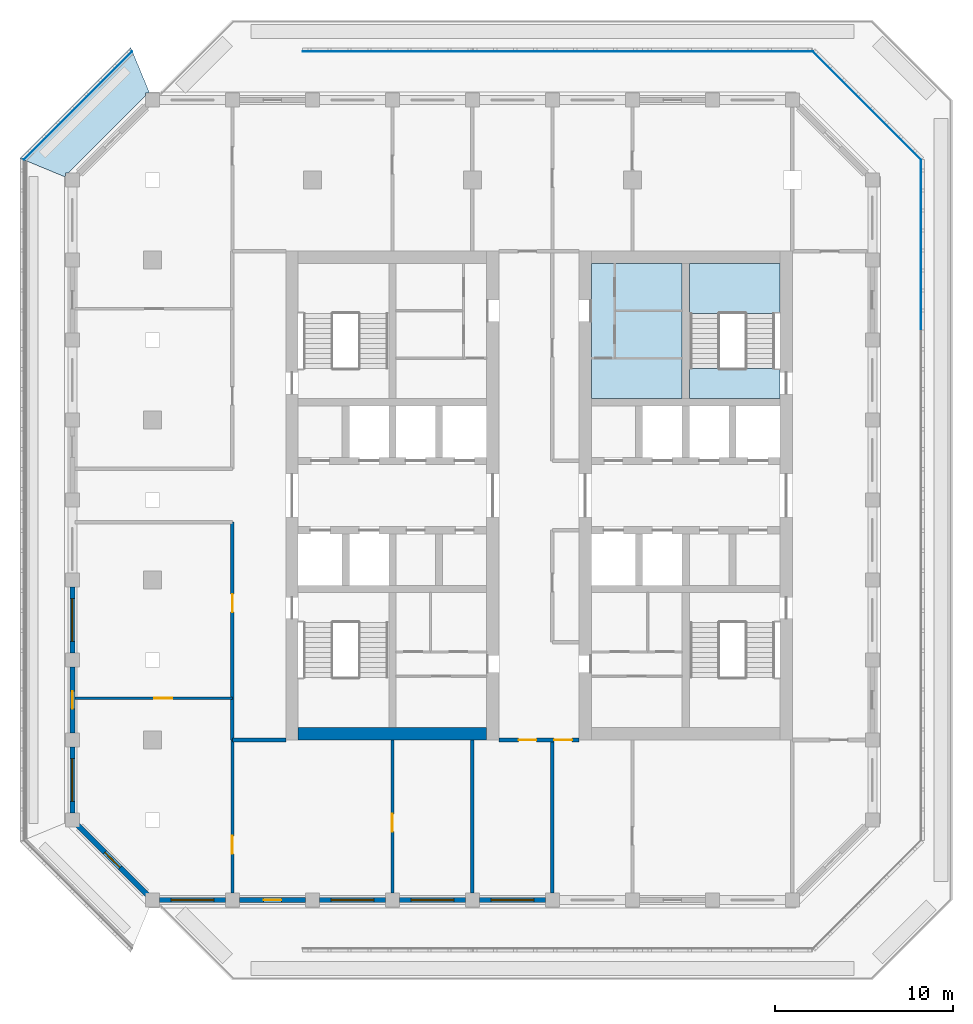
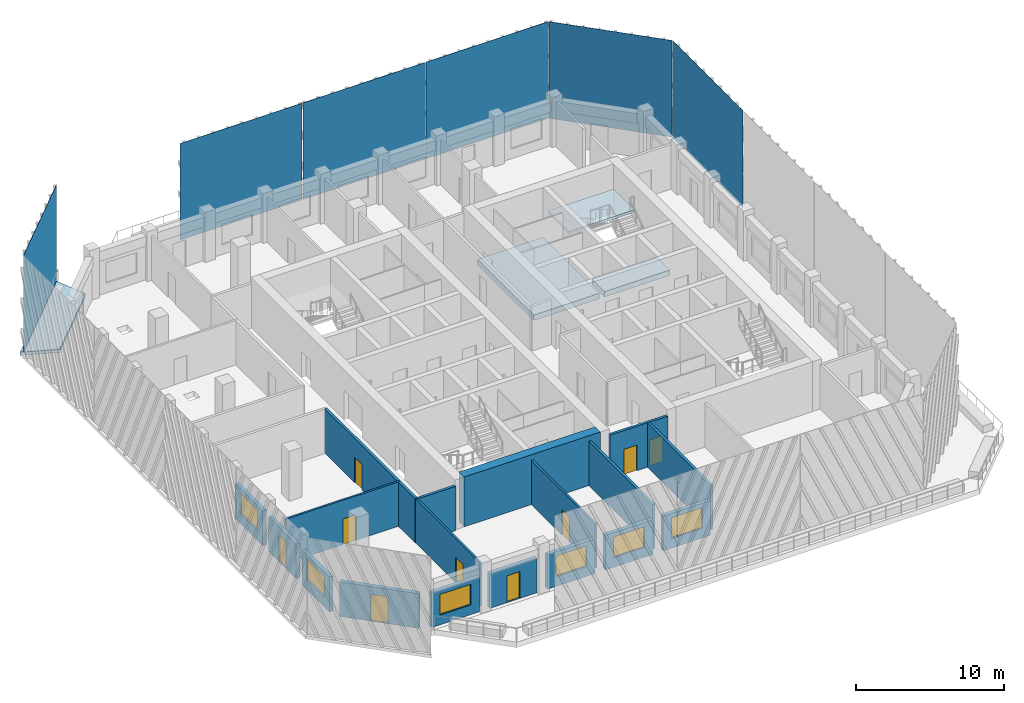
# One storey, part 2 of 14: 18 walls, 9 doors, 6 plates, 6 windows, 4 slabs, 15 openings, 1 element without a shape of its own.
"""IFC4 building model written with IfcOpenShell, lengths in metres."""

from ifc_helpers import new_model, si_unit, direction, frame, frame_2d, origin, origin_2d, place, context, subcontext, project, spatial, polyline, rectangle, outline, extrude, material, layer, layer_set, type_object, element, fill, aggregate, save


model = new_model("IFC4")

# Units and contexts
model_context = context("Model", 3, precision=1e-05, world=origin(), true_north=direction((0.0, 1.0)))
body_context = subcontext(model_context, "Body", "Model", "MODEL_VIEW")
ifc_project = project(units=[si_unit("LENGTHUNIT", "METRE"), si_unit("AREAUNIT", "SQUARE_METRE"), si_unit("VOLUMEUNIT", "CUBIC_METRE"), si_unit("PLANEANGLEUNIT", "RADIAN"), si_unit("MASSUNIT", "GRAM", prefix="KILO")], contexts=[model_context])

# Site, building, storey
site_placement = place(None, origin())
site = spatial("IfcSite", under=ifc_project, at=site_placement, CompositionType="ELEMENT")
building_placement = place(site_placement, origin())
building = spatial("IfcBuilding", under=site, at=building_placement, Name="Corbel Stack Research Tower", CompositionType="ELEMENT")
storey_placement = place(building_placement, frame((0.0, 0.0, 266.300048828125)))
storey = spatial("IfcBuildingStorey", under=building, at=storey_placement, Name="L60", CompositionType="ELEMENT", Elevation=266.300048828125)

# Plates
ifc_material_1 = material(Name="Fritted glass", Category="glass")
ifc_layer_1 = layer(ifc_material_1, 0.02490234375)
ifc_layer_set_1 = layer_set([ifc_layer_1], Name="Fritted glass")
plate_type = type_object("IfcPlateType", Name="Fritted glass panel 25", PredefinedType="SHEET", material=ifc_layer_set_1)
plate_1_placement = place(storey_placement, frame((25.237548828125, 18.854248046875, 0.0), z_axis=(0.0, 0.0, 1.0), x_axis=(0.0, 1.0, 0.0)))
element("IfcPlate", 1, at=plate_1_placement, inside=storey, type_object=plate_type, Name="Fritted glass L60 E4", PredefinedType="SHEET", context=body_context, shape_type="SweptSolid", body=[
    extrude(rectangle(XDim=9.509521484375, YDim=0.02490234375, at=origin_2d()), origin(), (0.0, 0.0, 1.0), 7.949951171875),
])
plate_2_placement = place(storey_placement, frame((22.185791015625, 26.685791015625, 0.0), z_axis=(0.0, 0.0, 1.0), x_axis=(-0.707106781187, 0.707106781187, 0.0)))
element("IfcPlate", 2, at=plate_2_placement, inside=storey, type_object=plate_type, Name="Fritted glass L60 NE1", PredefinedType="SHEET", context=body_context, shape_type="SweptSolid", body=[
    extrude(rectangle(XDim=8.58203125, YDim=0.02490234375, at=origin_2d()), origin(), (0.0, 0.0, 1.0), 7.949951171875),
])
for number, where, z_axis, x_axis, name in (
    (3, (14.354248046875, 29.737548828125, 0.0), (0.0, 0.0, 1.0), (-1.0, 0.0, 0.0), "Fritted glass L60 N1"),
    (4, (4.784912109375, 29.737548828125, 0.0), (0.0, 0.0, 1.0), (-1.0, 0.0, 0.0), "Fritted glass L60 N2"),
    (5, (-4.784912109375, 29.737548828125, 0.0), (0.0, 0.0, 1.0), (-1.0, 0.0, 0.0), "Fritted glass L60 N3"),
):
    element("IfcPlate", number, at=place(storey_placement, frame(where, z_axis=z_axis, x_axis=x_axis)), inside=storey, type_object=plate_type, Name=name, PredefinedType="SHEET", context=body_context, shape_type="SweptSolid", body=[
        extrude(rectangle(XDim=9.509521484375, YDim=0.02490234375, at=origin_2d()), origin(), (0.0, 0.0, 1.0), 7.949951171875),
    ])
plate_3_placement = place(storey_placement, frame((-22.185791015625, 26.685791015625, 0.0), z_axis=(0.0, 0.0, 1.0), x_axis=(-0.707106781187, -0.707106781187, 0.0)))
element("IfcPlate", 6, at=plate_3_placement, inside=storey, type_object=plate_type, Name="Fritted glass L60 NW1", PredefinedType="SHEET", context=body_context, shape_type="SweptSolid", body=[
    extrude(rectangle(XDim=8.58203125, YDim=0.02490234375, at=origin_2d()), origin(), (0.0, 0.0, 1.0), 7.949951171875),
])

# Slabs
ifc_material_2 = material(Name="Concrete C45/55", Category="concrete")
ifc_layer_2 = layer(ifc_material_2, 0.25)
ifc_layer_set_2 = layer_set([ifc_layer_2], Name="Concrete C45/55")
slab_type_1 = type_object("IfcSlabType", Name="PT balcony slab 250 C45/55", PredefinedType="FLOOR", material=ifc_layer_set_2)
slab_1_placement = place(storey_placement, frame((0.0, 0.0, -0.25)))
element("IfcSlab", 7, at=slab_1_placement, inside=storey, type_object=slab_type_1, Name="Loggia slab L60 NW", PredefinedType="FLOOR", context=body_context, shape_type="SweptSolid", body=[
    extrude(outline(polyline([(-22.949951171875, 22.686279296875), (-22.89990234375, 22.736328125), (-22.89990234375, 22.89990234375), (-22.736328125, 22.89990234375), (-18.39990234375, 27.236328125), (-18.39990234375, 27.39990234375), (-18.236328125, 27.39990234375), (-18.186279296875, 27.449951171875), (-19.221923828125, 29.949951171875), (-25.449951171875, 23.721923828125), (-22.949951171875, 22.686279296875)])), origin(), (0.0, 0.0, 1.0), 0.25),
])
ifc_material_3 = material(Name="Concrete C45/55", Category="concrete")
ifc_layer_3 = layer(ifc_material_3, 0.449951171875)
ifc_layer_set_3 = layer_set([ifc_layer_3], Name="Concrete C45/55")
slab_type_2 = type_object("IfcSlabType", Name="PT-450", PredefinedType="FLOOR", material=ifc_layer_set_3)
slab_2_placement = place(storey_placement, frame((0.0, 0.0, -0.449951171875)))
element("IfcSlab", 8, at=slab_2_placement, inside=storey, type_object=slab_type_2, Name="East core floor L60", PredefinedType="FLOOR", context=body_context, shape_type="SweptSolid", body=[
    extrude(outline(polyline([(6.699951171875, 10.199951171875), (11.800048828125, 10.199951171875), (11.800048828125, 17.800048828125), (6.699951171875, 17.800048828125), (6.699951171875, 10.199951171875)])), origin(), (0.0, 0.0, 1.0), 0.449951171875),
])
slab_3_placement = place(storey_placement, frame((0.0, 0.0, -0.449951171875)))
element("IfcSlab", 9, at=slab_3_placement, inside=storey, type_object=slab_type_2, Name="Stair floor landing ST-E2", PredefinedType="FLOOR", context=body_context, shape_type="SweptSolid", body=[
    extrude(outline(polyline([(12.199951171875, 10.199951171875), (17.300048828125, 10.199951171875), (17.300048828125, 11.89990234375), (12.199951171875, 11.89990234375), (12.199951171875, 10.199951171875)])), origin(), (0.0, 0.0, 1.0), 0.449951171875),
])

# Stair, slab
ifc_material_4 = material(Name="Concrete C40/50", Category="concrete")
stair_type = type_object("IfcStairType", Name="Exit stair 24 risers", PredefinedType="HALF_TURN_STAIR", material=ifc_material_4)
stair_placement = place(storey_placement, origin())
stair = element("IfcStair", 10, at=stair_placement, inside=storey, type_object=stair_type, Name="L60 Exit stair ST-E2", PredefinedType="HALF_TURN_STAIR")
ifc_material_5 = material(Name="Concrete C40/50", Category="concrete")
ifc_layer_4 = layer(ifc_material_5, 0.199951171875)
ifc_layer_set_4 = layer_set([ifc_layer_4], Name="Concrete C40/50")
slab_type_3 = type_object("IfcSlabType", Name="Stair landing 200 C40/50", PredefinedType="LANDING", material=ifc_layer_set_4)
slab_4_placement = place(storey_placement, frame((0.0, 0.0, 1.849853515625)))
slab_4 = element("IfcSlab", 11, at=slab_4_placement, type_object=slab_type_3, Name="ST-E2 landing 1", PredefinedType="LANDING", context=body_context, shape_type="SweptSolid", body=[
    extrude(outline(polyline([(12.199951171875, 14.97998046875), (12.199951171875, 17.800048828125), (17.300048828125, 17.800048828125), (17.300048828125, 14.97998046875), (12.199951171875, 14.97998046875)])), origin(), (0.0, 0.0, 1.0), 0.2001953125),
])
aggregate(stair, [slab_4])

# Wall
ifc_material_6 = material(Name="Concrete C60/75", Category="concrete")
ifc_layer_5 = layer(ifc_material_6, 0.699951171875)
ifc_layer_set_5 = layer_set([ifc_layer_5], Name="Concrete C60/75")
wall_type_1 = type_object("IfcWallType", Name="CW-700-60", PredefinedType="SHEAR", material=ifc_layer_set_5)
wall_1_placement = place(storey_placement, frame((-9.800048828125, -8.64990234375, 0.0), z_axis=(0.0, 0.0, 1.0), x_axis=(1.0, 0.0, 0.0)))
element("IfcWall", 12, at=wall_1_placement, inside=storey, type_object=wall_type_1, Name="West core wall, south end L60", PredefinedType="SHEAR", context=body_context, shape_type="SweptSolid", body=[
    extrude(rectangle(XDim=10.60009765625, YDim=0.699951171875, at=frame_2d((5.300048828125, 0.0))), origin(), (0.0, 0.0, 1.0), 4.099853515625),
])

# Wall, opening, door
ifc_material_7 = material(Name="Fire-rated gypsum board partition on steel studs", Category="steel")
ifc_layer_6 = layer(ifc_material_7, 0.14990234375)
ifc_layer_set_6 = layer_set([ifc_layer_6], Name="Fire-rated gypsum board partition on steel studs")
wall_type_2 = type_object("IfcWallType", Name="Fire-rated partition 150 EI 60", PredefinedType="PARTITIONING", material=ifc_layer_set_6)
wall_2_placement = place(storey_placement, frame((-13.5, -9.0, 0.0), z_axis=(0.0, 0.0, 1.0), x_axis=(0.0, -1.0, 0.0)))
wall_2 = element("IfcWall", 13, at=wall_2_placement, inside=storey, type_object=wall_type_2, Name="Partition L60-001", PredefinedType="PARTITIONING", context=body_context, shape_type="SweptSolid", body=[
    extrude(rectangle(XDim=8.60009765625, YDim=0.14990234375, at=frame_2d((4.300048828125, 0.0))), origin(), (0.0, 0.0, 1.0), 3.64990234375),
])
opening_1_placement = place(wall_2_placement, frame((5.39990234375, 0.0, 0.0)))
opening_1 = element("IfcOpeningElement", 14, at=opening_1_placement, cuts=wall_2, Name="Opening B8V0H-001", PredefinedType="OPENING", context=body_context, shape_type="SweptSolid", body=[
    extrude(rectangle(XDim=1.0, YDim=2.10009765625, at=frame_2d((0.5, 1.050048828125))), frame((0.0, 0.0849609375, 0.0), z_axis=(0.0, -1.0, 0.0), x_axis=(1.0, 0.0, 0.0)), (0.0, 0.0, 1.0), 0.169921875),
])
ifc_material_8 = material(Name="Painted steel fire door", Category="steel")
door_type_1 = type_object("IfcDoorType", Name="Fire door FD30S 1000 x 2100", OperationType="NOTDEFINED", PredefinedType="DOOR", material=ifc_material_8)
door_1_placement = place(opening_1_placement, origin())
door_1 = element("IfcDoor", 15, at=door_1_placement, inside=storey, type_object=door_type_1, Name="Door B8V0H-001", OperationType="SINGLE_SWING_RIGHT", OverallHeight=2.10009765625, OverallWidth=1.0, PredefinedType="DOOR", context=body_context, shape_type="SweptSolid", body=[
    extrude(rectangle(XDim=1.0, YDim=2.10009765625, at=frame_2d((0.5, 1.050048828125))), frame((0.0, 0.02490234375, 0.0), z_axis=(0.0, -1.0, 0.0), x_axis=(1.0, 0.0, 0.0)), (0.0, 0.0, 1.0), 0.050048828125),
])
fill(opening_1, door_1)

wall_3_placement = place(storey_placement, frame((-4.5, -9.0, 0.0), z_axis=(0.0, 0.0, 1.0), x_axis=(0.0, -1.0, 0.0)))
wall_3 = element("IfcWall", 16, at=wall_3_placement, inside=storey, type_object=wall_type_2, Name="Partition L60-005", PredefinedType="PARTITIONING", context=body_context, shape_type="SweptSolid", body=[
    extrude(rectangle(XDim=8.60009765625, YDim=0.14990234375, at=frame_2d((4.300048828125, 0.0))), origin(), (0.0, 0.0, 1.0), 3.64990234375),
])
opening_2_placement = place(wall_3_placement, frame((4.14990234375, 0.0, 0.0)))
opening_2 = element("IfcOpeningElement", 17, at=opening_2_placement, cuts=wall_3, Name="Opening B8V0H-009", PredefinedType="OPENING", context=body_context, shape_type="SweptSolid", body=[
    extrude(rectangle(XDim=1.0, YDim=2.10009765625, at=frame_2d((0.5, 1.050048828125))), frame((0.0, 0.0849609375, 0.0), z_axis=(0.0, -1.0, 0.0), x_axis=(1.0, 0.0, 0.0)), (0.0, 0.0, 1.0), 0.169921875),
])
door_2_placement = place(opening_2_placement, origin())
door_2 = element("IfcDoor", 18, at=door_2_placement, inside=storey, type_object=door_type_1, Name="Door B8V0H-009", OperationType="SINGLE_SWING_RIGHT", OverallHeight=2.10009765625, OverallWidth=1.0, PredefinedType="DOOR", context=body_context, shape_type="SweptSolid", body=[
    extrude(rectangle(XDim=1.0, YDim=2.10009765625, at=frame_2d((0.5, 1.050048828125))), frame((0.0, 0.02490234375, 0.0), z_axis=(0.0, -1.0, 0.0), x_axis=(1.0, 0.0, 0.0)), (0.0, 0.0, 1.0), 0.050048828125),
])
fill(opening_2, door_2)

ifc_material_9 = material(Name="Fire-rated gypsum board partition on steel studs", Category="steel")
ifc_layer_7 = layer(ifc_material_9, 0.199951171875)
ifc_layer_set_7 = layer_set([ifc_layer_7], Name="Fire-rated gypsum board partition on steel studs")
wall_type_3 = type_object("IfcWallType", Name="Fire-rated partition 200 EI 60", PredefinedType="PARTITIONING", material=ifc_layer_set_7)
wall_4_placement = place(storey_placement, frame((-13.5, -9.0, 0.0), z_axis=(0.0, 0.0, 1.0), x_axis=(0.0, 1.0, 0.0)))
wall_4 = element("IfcWall", 19, at=wall_4_placement, inside=storey, type_object=wall_type_3, Name="Partition L60-003", PredefinedType="PARTITIONING", context=body_context, shape_type="SweptSolid", body=[
    extrude(rectangle(XDim=12.25, YDim=0.199951171875, at=frame_2d((6.125, 0.0))), origin(), (0.0, 0.0, 1.0), 3.64990234375),
])
opening_3_placement = place(wall_4_placement, frame((7.199951171875, 0.0, 0.0)))
opening_3 = element("IfcOpeningElement", 20, at=opening_3_placement, cuts=wall_4, Name="Opening B8V0H-002", PredefinedType="OPENING", context=body_context, shape_type="SweptSolid", body=[
    extrude(rectangle(XDim=1.0, YDim=2.10009765625, at=frame_2d((0.5, 1.050048828125))), frame((0.0, 0.10986328125, 0.0), z_axis=(0.0, -1.0, 0.0), x_axis=(1.0, 0.0, 0.0)), (0.0, 0.0, 1.0), 0.219970703125),
])
door_3_placement = place(opening_3_placement, origin())
door_3 = element("IfcDoor", 21, at=door_3_placement, inside=storey, type_object=door_type_1, Name="Door B8V0H-002", OperationType="SINGLE_SWING_RIGHT", OverallHeight=2.10009765625, OverallWidth=1.0, PredefinedType="DOOR", context=body_context, shape_type="SweptSolid", body=[
    extrude(rectangle(XDim=1.0, YDim=2.10009765625, at=frame_2d((0.5, 1.050048828125))), frame((0.0, 0.02490234375, 0.0), z_axis=(0.0, -1.0, 0.0), x_axis=(1.0, 0.0, 0.0)), (0.0, 0.0, 1.0), 0.050048828125),
])
fill(opening_3, door_3)

# Walls
for number, where, z_axis, x_axis, name in (
    (22, (0.0, -17.60009765625, 0.0), (0.0, 0.0, 1.0), (0.0, 1.0, 0.0), "Partition L60-007"),
    (23, (4.5, -17.60009765625, 0.0), (0.0, 0.0, 1.0), (0.0, 1.0, 0.0), "Partition L60-011"),
):
    element("IfcWall", number, at=place(storey_placement, frame(where, z_axis=z_axis, x_axis=x_axis)), inside=storey, type_object=wall_type_3, Name=name, PredefinedType="PARTITIONING", context=body_context, shape_type="SweptSolid", body=[
        extrude(rectangle(XDim=8.60009765625, YDim=0.199951171875, at=frame_2d((4.300048828125, 0.0))), origin(), (0.0, 0.0, 1.0), 3.64990234375),
    ])
wall_5_placement = place(storey_placement, frame((-13.5, -9.0, 0.0), z_axis=(0.0, 0.0, 1.0), x_axis=(1.0, 0.0, 0.0)))
element("IfcWall", 24, at=wall_5_placement, inside=storey, type_object=wall_type_3, Name="Partition L60-020", PredefinedType="PARTITIONING", context=body_context, shape_type="SweptSolid", body=[
    extrude(rectangle(XDim=3.0, YDim=0.199951171875, at=frame_2d((1.5, 0.0))), origin(), (0.0, 0.0, 1.0), 3.64990234375),
])

# Wall, openings, doors
wall_6_placement = place(storey_placement, frame((6.0, -9.0, 0.0), z_axis=(0.0, 0.0, 1.0), x_axis=(-1.0, 0.0, 0.0)))
wall_6 = element("IfcWall", 25, at=wall_6_placement, inside=storey, type_object=wall_type_3, Name="Partition L60-021", PredefinedType="PARTITIONING", context=body_context, shape_type="SweptSolid", body=[
    extrude(rectangle(XDim=4.5, YDim=0.199951171875, at=frame_2d((2.25, 0.0))), origin(), (0.0, 0.0, 1.0), 3.64990234375),
])
opening_4_placement = place(wall_6_placement, frame((2.39990234375, 0.0, 0.0)))
opening_4 = element("IfcOpeningElement", 26, at=opening_4_placement, cuts=wall_6, Name="Opening B8V0H-005", PredefinedType="OPENING", context=body_context, shape_type="SweptSolid", body=[
    extrude(rectangle(XDim=1.0, YDim=2.10009765625, at=frame_2d((0.5, 1.050048828125))), frame((0.0, 0.10986328125, 0.0), z_axis=(0.0, -1.0, 0.0), x_axis=(1.0, 0.0, 0.0)), (0.0, 0.0, 1.0), 0.219970703125),
])
opening_5_placement = place(wall_6_placement, frame((0.39990234375, 0.0, 0.0)))
opening_5 = element("IfcOpeningElement", 27, at=opening_5_placement, cuts=wall_6, Name="Opening B8V0H-006", PredefinedType="OPENING", context=body_context, shape_type="SweptSolid", body=[
    extrude(rectangle(XDim=1.0, YDim=2.10009765625, at=frame_2d((0.5, 1.050048828125))), frame((0.0, 0.10986328125, 0.0), z_axis=(0.0, -1.0, 0.0), x_axis=(1.0, 0.0, 0.0)), (0.0, 0.0, 1.0), 0.219970703125),
])
door_4_placement = place(opening_4_placement, origin())
door_4 = element("IfcDoor", 28, at=door_4_placement, inside=storey, type_object=door_type_1, Name="Door B8V0H-005", OperationType="SINGLE_SWING_RIGHT", OverallHeight=2.10009765625, OverallWidth=1.0, PredefinedType="DOOR", context=body_context, shape_type="SweptSolid", body=[
    extrude(rectangle(XDim=1.0, YDim=2.10009765625, at=frame_2d((0.5, 1.050048828125))), frame((0.0, 0.02490234375, 0.0), z_axis=(0.0, -1.0, 0.0), x_axis=(1.0, 0.0, 0.0)), (0.0, 0.0, 1.0), 0.050048828125),
])
fill(opening_4, door_4)
door_5_placement = place(opening_5_placement, origin())
door_5 = element("IfcDoor", 29, at=door_5_placement, inside=storey, type_object=door_type_1, Name="Door B8V0H-006", OperationType="SINGLE_SWING_LEFT", OverallHeight=2.10009765625, OverallWidth=1.0, PredefinedType="DOOR", context=body_context, shape_type="SweptSolid", body=[
    extrude(rectangle(XDim=1.0, YDim=2.10009765625, at=frame_2d((0.5, 1.050048828125))), frame((0.0, 0.02490234375, 0.0), z_axis=(0.0, -1.0, 0.0), x_axis=(1.0, 0.0, 0.0)), (0.0, 0.0, 1.0), 0.050048828125),
])
fill(opening_5, door_5)

# Wall, opening, door
ifc_material_10 = material(Name="Gypsum board partition on steel studs", Category="steel")
ifc_layer_8 = layer(ifc_material_10, 0.14990234375)
ifc_layer_set_8 = layer_set([ifc_layer_8], Name="Gypsum board partition on steel studs")
wall_type_4 = type_object("IfcWallType", Name="Partition 150", PredefinedType="PARTITIONING", material=ifc_layer_set_8)
wall_7_placement = place(storey_placement, frame((-13.5, -6.64990234375, 0.0), z_axis=(0.0, 0.0, 1.0), x_axis=(-1.0, 0.0, 0.0)))
wall_7 = element("IfcWall", 30, at=wall_7_placement, inside=storey, type_object=wall_type_4, Name="Partition L60-023", PredefinedType="PARTITIONING", context=body_context, shape_type="SweptSolid", body=[
    extrude(rectangle(XDim=8.85009765625, YDim=0.14990234375, at=frame_2d((4.425048828125, 0.0))), origin(), (0.0, 0.0, 1.0), 3.64990234375),
])
opening_6_placement = place(wall_7_placement, frame((3.39990234375, 0.0, 0.0)))
opening_6 = element("IfcOpeningElement", 31, at=opening_6_placement, cuts=wall_7, Name="Opening B8V0H-008", PredefinedType="OPENING", context=body_context, shape_type="SweptSolid", body=[
    extrude(rectangle(XDim=1.0, YDim=2.10009765625, at=frame_2d((0.5, 1.050048828125))), frame((0.0, 0.0849609375, 0.0), z_axis=(0.0, -1.0, 0.0), x_axis=(1.0, 0.0, 0.0)), (0.0, 0.0, 1.0), 0.169921875),
])
ifc_material_11 = material(Name="Painted timber door", Category="wood")
door_type_2 = type_object("IfcDoorType", Name="Single door 1000 x 2100", OperationType="NOTDEFINED", PredefinedType="DOOR", material=ifc_material_11)
door_6_placement = place(opening_6_placement, origin())
door_6 = element("IfcDoor", 32, at=door_6_placement, inside=storey, type_object=door_type_2, Name="Door B8V0H-008", OperationType="SINGLE_SWING_LEFT", OverallHeight=2.10009765625, OverallWidth=1.0, PredefinedType="DOOR", context=body_context, shape_type="SweptSolid", body=[
    extrude(rectangle(XDim=1.0, YDim=2.10009765625, at=frame_2d((0.5, 1.050048828125))), frame((0.0, 0.02490234375, 0.0), z_axis=(0.0, -1.0, 0.0), x_axis=(1.0, 0.0, 0.0)), (0.0, 0.0, 1.0), 0.050048828125),
])
fill(opening_6, door_6)

# Wall, opening, window
ifc_material_12 = material(Name="Concrete C45/55", Category="concrete")
ifc_layer_9 = layer(ifc_material_12, 0.300048828125)
ifc_layer_set_9 = layer_set([ifc_layer_9], Name="Concrete C45/55")
wall_type_5 = type_object("IfcWallType", Name="Terracotta-faced concrete wall 300", PredefinedType="SOLIDWALL", material=ifc_layer_set_9)
wall_8_placement = place(storey_placement, frame((-13.89990234375, -18.0, 0.0), z_axis=(0.0, 0.0, 1.0), x_axis=(-1.0, 0.0, 0.0)))
wall_8 = element("IfcWall", 33, at=wall_8_placement, inside=storey, type_object=wall_type_5, Name="Facade wall L60 S01", PredefinedType="SOLIDWALL", context=body_context, shape_type="SweptSolid", body=[
    extrude(rectangle(XDim=3.7001953125, YDim=0.300048828125, at=frame_2d((1.85009765625, 0.0))), origin(), (0.0, 0.0, 1.0), 2.849853515625),
])
opening_7_placement = place(wall_8_placement, frame((0.64990234375, 0.0, 0.800048828125)))
opening_7 = element("IfcOpeningElement", 34, at=opening_7_placement, cuts=wall_8, Name="Opening W1", PredefinedType="OPENING", context=body_context, shape_type="SweptSolid", body=[
    extrude(rectangle(XDim=2.39990234375, YDim=1.699951171875, at=frame_2d((1.199951171875, 0.85009765625))), frame((0.0, 0.159912109375, 0.0), z_axis=(0.0, -1.0, 0.0), x_axis=(1.0, 0.0, 0.0)), (0.0, 0.0, 1.0), 0.320068359375),
])
ifc_material_13 = material(Name="Aluminium frame, clear double glazing", Category="aluminium")
window_type = type_object("IfcWindowType", Name="Window W1 2400 x 1700", PartitioningType="SINGLE_PANEL", PredefinedType="WINDOW", material=ifc_material_13)
window_1_placement = place(opening_7_placement, origin())
window_1 = element("IfcWindow", 35, at=window_1_placement, inside=storey, type_object=window_type, Name="Window W1 L60 S01", OverallHeight=1.699951171875, OverallWidth=2.39990234375, PartitioningType="SINGLE_PANEL", PredefinedType="WINDOW", context=body_context, shape_type="SweptSolid", body=[
    extrude(rectangle(XDim=2.39990234375, YDim=1.699951171875, at=frame_2d((1.199951171875, 0.85009765625))), frame((0.0, 0.030029296875, 0.0), z_axis=(0.0, -1.0, 0.0), x_axis=(1.0, 0.0, 0.0)), (0.0, 0.0, 1.0), 0.06005859375),
])
fill(opening_7, window_1)

# Wall, opening, door
wall_9_placement = place(storey_placement, frame((-9.39990234375, -18.0, 0.0), z_axis=(0.0, 0.0, 1.0), x_axis=(-1.0, 0.0, 0.0)))
wall_9 = element("IfcWall", 36, at=wall_9_placement, inside=storey, type_object=wall_type_5, Name="Facade wall L60 S02", PredefinedType="SOLIDWALL", context=body_context, shape_type="SweptSolid", body=[
    extrude(rectangle(XDim=3.7001953125, YDim=0.300048828125, at=frame_2d((1.85009765625, 0.0))), origin(), (0.0, 0.0, 1.0), 2.849853515625),
])
opening_8_placement = place(wall_9_placement, frame((1.35009765625, 0.0, 0.0)))
opening_8 = element("IfcOpeningElement", 37, at=opening_8_placement, cuts=wall_9, Name="Opening L60-B01", PredefinedType="OPENING", context=body_context, shape_type="SweptSolid", body=[
    extrude(rectangle(XDim=1.0, YDim=2.199951171875, at=frame_2d((0.5, 1.10009765625))), frame((0.0, 0.159912109375, 0.0), z_axis=(0.0, -1.0, 0.0), x_axis=(1.0, 0.0, 0.0)), (0.0, 0.0, 1.0), 0.320068359375),
])
ifc_material_14 = material(Name="Aluminium frame, clear double glazing", Category="aluminium")
door_type_3 = type_object("IfcDoorType", Name="Balcony door BD1 1000 x 2200", OperationType="NOTDEFINED", PredefinedType="DOOR", material=ifc_material_14)
door_7_placement = place(opening_8_placement, origin())
door_7 = element("IfcDoor", 38, at=door_7_placement, inside=storey, type_object=door_type_3, Name="Balcony door L60-B01", OperationType="SINGLE_SWING_RIGHT", OverallHeight=2.199951171875, OverallWidth=1.0, PredefinedType="DOOR", context=body_context, shape_type="SweptSolid", body=[
    extrude(rectangle(XDim=1.0, YDim=2.199951171875, at=frame_2d((0.5, 1.10009765625))), frame((0.0, 0.02490234375, 0.0), z_axis=(0.0, -1.0, 0.0), x_axis=(1.0, 0.0, 0.0)), (0.0, 0.0, 1.0), 0.050048828125),
])
fill(opening_8, door_7)

# Wall, opening, window
wall_10_placement = place(storey_placement, frame((-4.89990234375, -18.0, 0.0), z_axis=(0.0, 0.0, 1.0), x_axis=(-1.0, 0.0, 0.0)))
wall_10 = element("IfcWall", 39, at=wall_10_placement, inside=storey, type_object=wall_type_5, Name="Facade wall L60 S03", PredefinedType="SOLIDWALL", context=body_context, shape_type="SweptSolid", body=[
    extrude(rectangle(XDim=3.7001953125, YDim=0.300048828125, at=frame_2d((1.85009765625, 0.0))), origin(), (0.0, 0.0, 1.0), 2.849853515625),
])
opening_9_placement = place(wall_10_placement, frame((0.64990234375, 0.0, 0.800048828125)))
opening_9 = element("IfcOpeningElement", 40, at=opening_9_placement, cuts=wall_10, Name="Opening W1", PredefinedType="OPENING", context=body_context, shape_type="SweptSolid", body=[
    extrude(rectangle(XDim=2.39990234375, YDim=1.699951171875, at=frame_2d((1.199951171875, 0.85009765625))), frame((0.0, 0.159912109375, 0.0), z_axis=(0.0, -1.0, 0.0), x_axis=(1.0, 0.0, 0.0)), (0.0, 0.0, 1.0), 0.320068359375),
])
window_2_placement = place(opening_9_placement, origin())
window_2 = element("IfcWindow", 41, at=window_2_placement, inside=storey, type_object=window_type, Name="Window W1 L60 S03", OverallHeight=1.699951171875, OverallWidth=2.39990234375, PartitioningType="SINGLE_PANEL", PredefinedType="WINDOW", context=body_context, shape_type="SweptSolid", body=[
    extrude(rectangle(XDim=2.39990234375, YDim=1.699951171875, at=frame_2d((1.199951171875, 0.85009765625))), frame((0.0, 0.030029296875, 0.0), z_axis=(0.0, -1.0, 0.0), x_axis=(1.0, 0.0, 0.0)), (0.0, 0.0, 1.0), 0.06005859375),
])
fill(opening_9, window_2)

wall_11_placement = place(storey_placement, frame((-0.39990234375, -18.0, 0.0), z_axis=(0.0, 0.0, 1.0), x_axis=(-1.0, 0.0, 0.0)))
wall_11 = element("IfcWall", 42, at=wall_11_placement, inside=storey, type_object=wall_type_5, Name="Facade wall L60 S04", PredefinedType="SOLIDWALL", context=body_context, shape_type="SweptSolid", body=[
    extrude(rectangle(XDim=3.7001953125, YDim=0.300048828125, at=frame_2d((1.85009765625, 0.0))), origin(), (0.0, 0.0, 1.0), 2.849853515625),
])
opening_10_placement = place(wall_11_placement, frame((0.64990234375, 0.0, 0.800048828125)))
opening_10 = element("IfcOpeningElement", 43, at=opening_10_placement, cuts=wall_11, Name="Opening W1", PredefinedType="OPENING", context=body_context, shape_type="SweptSolid", body=[
    extrude(rectangle(XDim=2.39990234375, YDim=1.699951171875, at=frame_2d((1.199951171875, 0.85009765625))), frame((0.0, 0.159912109375, 0.0), z_axis=(0.0, -1.0, 0.0), x_axis=(1.0, 0.0, 0.0)), (0.0, 0.0, 1.0), 0.320068359375),
])
window_3_placement = place(opening_10_placement, origin())
window_3 = element("IfcWindow", 44, at=window_3_placement, inside=storey, type_object=window_type, Name="Window W1 L60 S04", OverallHeight=1.699951171875, OverallWidth=2.39990234375, PartitioningType="SINGLE_PANEL", PredefinedType="WINDOW", context=body_context, shape_type="SweptSolid", body=[
    extrude(rectangle(XDim=2.39990234375, YDim=1.699951171875, at=frame_2d((1.199951171875, 0.85009765625))), frame((0.0, 0.030029296875, 0.0), z_axis=(0.0, -1.0, 0.0), x_axis=(1.0, 0.0, 0.0)), (0.0, 0.0, 1.0), 0.06005859375),
])
fill(opening_10, window_3)

wall_12_placement = place(storey_placement, frame((4.10009765625, -18.0, 0.0), z_axis=(0.0, 0.0, 1.0), x_axis=(-1.0, 0.0, 0.0)))
wall_12 = element("IfcWall", 45, at=wall_12_placement, inside=storey, type_object=wall_type_5, Name="Facade wall L60 S05", PredefinedType="SOLIDWALL", context=body_context, shape_type="SweptSolid", body=[
    extrude(rectangle(XDim=3.7001953125, YDim=0.300048828125, at=frame_2d((1.85009765625, 0.0))), origin(), (0.0, 0.0, 1.0), 2.849853515625),
])
opening_11_placement = place(wall_12_placement, frame((0.64990234375, 0.0, 0.800048828125)))
opening_11 = element("IfcOpeningElement", 46, at=opening_11_placement, cuts=wall_12, Name="Opening W1", PredefinedType="OPENING", context=body_context, shape_type="SweptSolid", body=[
    extrude(rectangle(XDim=2.39990234375, YDim=1.699951171875, at=frame_2d((1.199951171875, 0.85009765625))), frame((0.0, 0.159912109375, 0.0), z_axis=(0.0, -1.0, 0.0), x_axis=(1.0, 0.0, 0.0)), (0.0, 0.0, 1.0), 0.320068359375),
])
window_4_placement = place(opening_11_placement, origin())
window_4 = element("IfcWindow", 47, at=window_4_placement, inside=storey, type_object=window_type, Name="Window W1 L60 S05", OverallHeight=1.699951171875, OverallWidth=2.39990234375, PartitioningType="SINGLE_PANEL", PredefinedType="WINDOW", context=body_context, shape_type="SweptSolid", body=[
    extrude(rectangle(XDim=2.39990234375, YDim=1.699951171875, at=frame_2d((1.199951171875, 0.85009765625))), frame((0.0, 0.030029296875, 0.0), z_axis=(0.0, -1.0, 0.0), x_axis=(1.0, 0.0, 0.0)), (0.0, 0.0, 1.0), 0.06005859375),
])
fill(opening_11, window_4)

wall_13_placement = place(storey_placement, frame((-22.5, -4.10009765625, 0.0), z_axis=(0.0, 0.0, 1.0), x_axis=(0.0, 1.0, 0.0)))
wall_13 = element("IfcWall", 48, at=wall_13_placement, inside=storey, type_object=wall_type_5, Name="Facade wall L60 W06", PredefinedType="SOLIDWALL", context=body_context, shape_type="SweptSolid", body=[
    extrude(rectangle(XDim=3.7001953125, YDim=0.300048828125, at=frame_2d((1.85009765625, 0.0))), origin(), (0.0, 0.0, 1.0), 2.849853515625),
])
opening_12_placement = place(wall_13_placement, frame((0.64990234375, 0.0, 0.800048828125)))
opening_12 = element("IfcOpeningElement", 49, at=opening_12_placement, cuts=wall_13, Name="Opening W1", PredefinedType="OPENING", context=body_context, shape_type="SweptSolid", body=[
    extrude(rectangle(XDim=2.39990234375, YDim=1.699951171875, at=frame_2d((1.199951171875, 0.85009765625))), frame((0.0, 0.159912109375, 0.0), z_axis=(0.0, -1.0, 0.0), x_axis=(1.0, 0.0, 0.0)), (0.0, 0.0, 1.0), 0.320068359375),
])
window_5_placement = place(opening_12_placement, origin())
window_5 = element("IfcWindow", 50, at=window_5_placement, inside=storey, type_object=window_type, Name="Window W1 L60 W06", OverallHeight=1.699951171875, OverallWidth=2.39990234375, PartitioningType="SINGLE_PANEL", PredefinedType="WINDOW", context=body_context, shape_type="SweptSolid", body=[
    extrude(rectangle(XDim=2.39990234375, YDim=1.699951171875, at=frame_2d((1.199951171875, 0.85009765625))), frame((0.0, 0.030029296875, 0.0), z_axis=(0.0, -1.0, 0.0), x_axis=(1.0, 0.0, 0.0)), (0.0, 0.0, 1.0), 0.06005859375),
])
fill(opening_12, window_5)

# Wall, opening, door
wall_14_placement = place(storey_placement, frame((-22.5, -8.60009765625, 0.0), z_axis=(0.0, 0.0, 1.0), x_axis=(0.0, 1.0, 0.0)))
wall_14 = element("IfcWall", 51, at=wall_14_placement, inside=storey, type_object=wall_type_5, Name="Facade wall L60 W07", PredefinedType="SOLIDWALL", context=body_context, shape_type="SweptSolid", body=[
    extrude(rectangle(XDim=3.7001953125, YDim=0.300048828125, at=frame_2d((1.85009765625, 0.0))), origin(), (0.0, 0.0, 1.0), 2.849853515625),
])
opening_13_placement = place(wall_14_placement, frame((1.35009765625, 0.0, 0.0)))
opening_13 = element("IfcOpeningElement", 52, at=opening_13_placement, cuts=wall_14, Name="Opening L60-B11", PredefinedType="OPENING", context=body_context, shape_type="SweptSolid", body=[
    extrude(rectangle(XDim=1.0, YDim=2.199951171875, at=frame_2d((0.5, 1.10009765625))), frame((0.0, 0.159912109375, 0.0), z_axis=(0.0, -1.0, 0.0), x_axis=(1.0, 0.0, 0.0)), (0.0, 0.0, 1.0), 0.320068359375),
])
door_8_placement = place(opening_13_placement, origin())
door_8 = element("IfcDoor", 53, at=door_8_placement, inside=storey, type_object=door_type_3, Name="Balcony door L60-B11", OperationType="SINGLE_SWING_LEFT", OverallHeight=2.199951171875, OverallWidth=1.0, PredefinedType="DOOR", context=body_context, shape_type="SweptSolid", body=[
    extrude(rectangle(XDim=1.0, YDim=2.199951171875, at=frame_2d((0.5, 1.10009765625))), frame((0.0, 0.02490234375, 0.0), z_axis=(0.0, -1.0, 0.0), x_axis=(1.0, 0.0, 0.0)), (0.0, 0.0, 1.0), 0.050048828125),
])
fill(opening_13, door_8)

# Wall, opening, window
wall_15_placement = place(storey_placement, frame((-22.5, -13.10009765625, 0.0), z_axis=(0.0, 0.0, 1.0), x_axis=(0.0, 1.0, 0.0)))
wall_15 = element("IfcWall", 54, at=wall_15_placement, inside=storey, type_object=wall_type_5, Name="Facade wall L60 W08", PredefinedType="SOLIDWALL", context=body_context, shape_type="SweptSolid", body=[
    extrude(rectangle(XDim=3.7001953125, YDim=0.300048828125, at=frame_2d((1.85009765625, 0.0))), origin(), (0.0, 0.0, 1.0), 2.849853515625),
])
opening_14_placement = place(wall_15_placement, frame((0.64990234375, 0.0, 0.800048828125)))
opening_14 = element("IfcOpeningElement", 55, at=opening_14_placement, cuts=wall_15, Name="Opening W1", PredefinedType="OPENING", context=body_context, shape_type="SweptSolid", body=[
    extrude(rectangle(XDim=2.39990234375, YDim=1.699951171875, at=frame_2d((1.199951171875, 0.85009765625))), frame((0.0, 0.159912109375, 0.0), z_axis=(0.0, -1.0, 0.0), x_axis=(1.0, 0.0, 0.0)), (0.0, 0.0, 1.0), 0.320068359375),
])
window_6_placement = place(opening_14_placement, origin())
window_6 = element("IfcWindow", 56, at=window_6_placement, inside=storey, type_object=window_type, Name="Window W1 L60 W08", OverallHeight=1.699951171875, OverallWidth=2.39990234375, PartitioningType="SINGLE_PANEL", PredefinedType="WINDOW", context=body_context, shape_type="SweptSolid", body=[
    extrude(rectangle(XDim=2.39990234375, YDim=1.699951171875, at=frame_2d((1.199951171875, 0.85009765625))), frame((0.0, 0.030029296875, 0.0), z_axis=(0.0, -1.0, 0.0), x_axis=(1.0, 0.0, 0.0)), (0.0, 0.0, 1.0), 0.06005859375),
])
fill(opening_14, window_6)

# Wall, opening, door
wall_16_placement = place(storey_placement, frame((-18.2939453125, -17.7060546875, 0.0), z_axis=(0.0, 0.0, 1.0), x_axis=(-0.707106781187, 0.707106781187, 0.0)))
wall_16 = element("IfcWall", 57, at=wall_16_placement, inside=storey, type_object=wall_type_5, Name="Facade wall L60 SW01", PredefinedType="SOLIDWALL", context=body_context, shape_type="SweptSolid", body=[
    extrude(rectangle(XDim=5.532470703125, YDim=0.300048828125, at=frame_2d((2.76611328125, 0.0))), origin(), (0.0, 0.0, 1.0), 2.849853515625),
])
opening_15_placement = place(wall_16_placement, frame((2.166259765625, 0.0, 0.0)))
opening_15 = element("IfcOpeningElement", 58, at=opening_15_placement, cuts=wall_16, Name="Opening L60-B12", PredefinedType="OPENING", context=body_context, shape_type="SweptSolid", body=[
    extrude(rectangle(XDim=1.199951171875, YDim=2.199951171875, at=frame_2d((0.60009765625, 1.10009765625))), frame((0.0, 0.159912109375, 0.0), z_axis=(0.0, -1.0, 0.0), x_axis=(1.0, 0.0, 0.0)), (0.0, 0.0, 1.0), 0.320068359375),
])
ifc_material_15 = material(Name="Aluminium frame, clear double glazing", Category="aluminium")
door_type_4 = type_object("IfcDoorType", Name="Balcony door BD2 1200 x 2200", OperationType="NOTDEFINED", PredefinedType="DOOR", material=ifc_material_15)
door_9_placement = place(opening_15_placement, origin())
door_9 = element("IfcDoor", 59, at=door_9_placement, inside=storey, type_object=door_type_4, Name="Balcony door L60-B12", OperationType="SINGLE_SWING_LEFT", OverallHeight=2.199951171875, OverallWidth=1.199951171875, PredefinedType="DOOR", context=body_context, shape_type="SweptSolid", body=[
    extrude(rectangle(XDim=1.199951171875, YDim=2.199951171875, at=frame_2d((0.60009765625, 1.10009765625))), frame((0.0, 0.02490234375, 0.0), z_axis=(0.0, -1.0, 0.0), x_axis=(1.0, 0.0, 0.0)), (0.0, 0.0, 1.0), 0.050048828125),
])
fill(opening_15, door_9)

save(model, "model.ifc")
